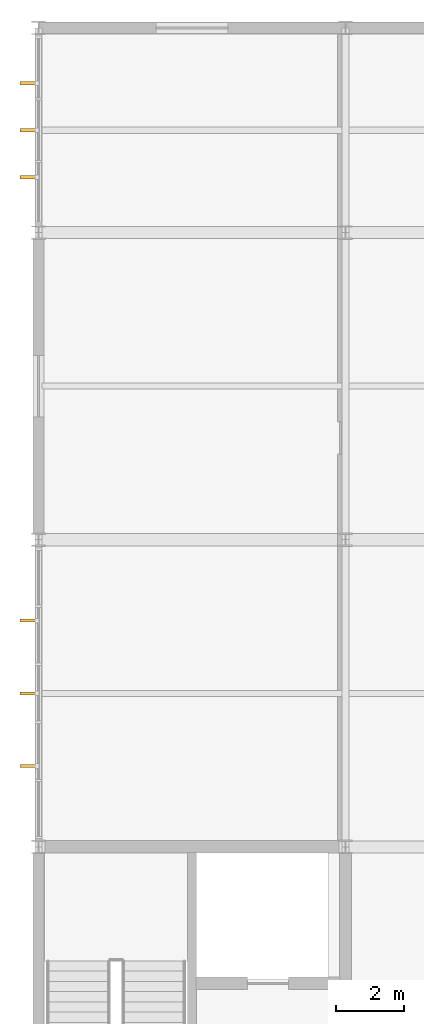
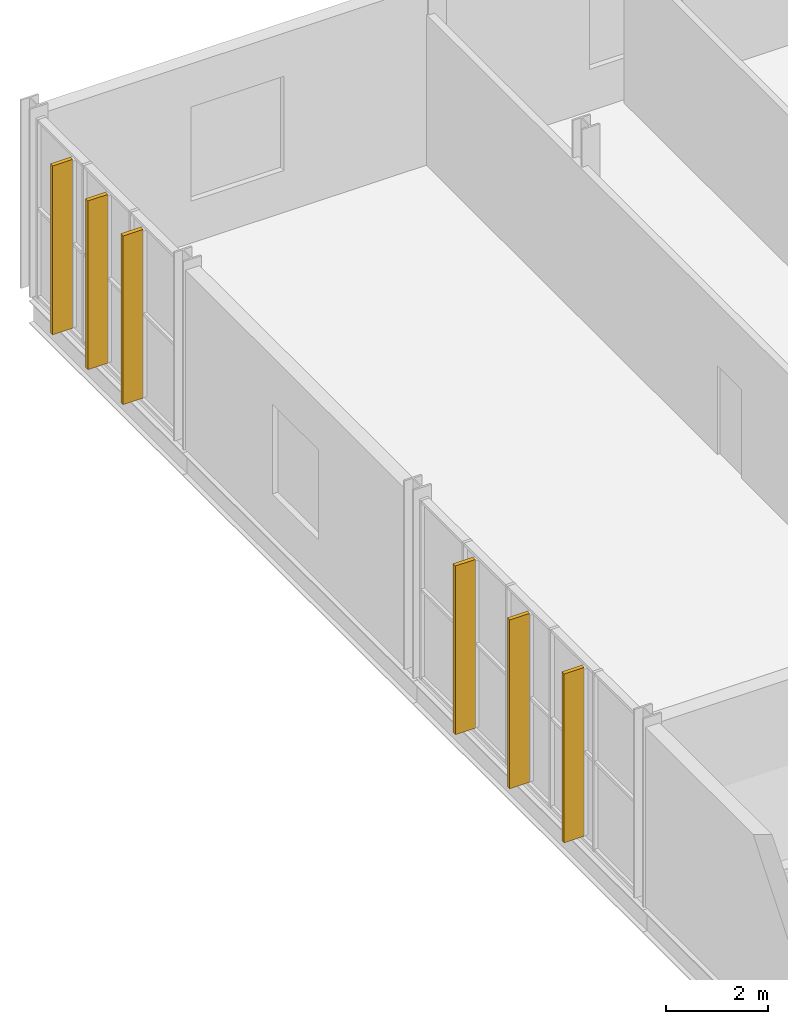
# One storey, part 131 of 134: 6 shading devices.
"""IFC4 building model written with IfcOpenShell, lengths in metres."""

from ifc_helpers import new_model, si_unit, direction, frame, origin, origin_2d, place, context, subcontext, project, spatial, rectangle, extrude, material, type_object, element, save


model = new_model("IFC4")

# Units and contexts
model_context = context("Model", 3, precision=1e-05, world=origin(), true_north=direction((0.0, 1.0)))
body_context = subcontext(model_context, "Body", "Model", "MODEL_VIEW")
ifc_project = project(units=[si_unit("LENGTHUNIT", "METRE"), si_unit("AREAUNIT", "SQUARE_METRE"), si_unit("VOLUMEUNIT", "CUBIC_METRE"), si_unit("PLANEANGLEUNIT", "RADIAN"), si_unit("MASSUNIT", "GRAM", prefix="KILO")], contexts=[model_context])

# Site, building, storey
site_placement = place(None, origin())
site = spatial("IfcSite", under=ifc_project, at=site_placement, CompositionType="ELEMENT")
building_placement = place(site_placement, origin())
building = spatial("IfcBuilding", under=site, at=building_placement, Name="Cazmaro Siding Exhibition Halls", CompositionType="ELEMENT")
storey_placement = place(building_placement, frame((0.0, 0.0, 12.0)))
storey = spatial("IfcBuildingStorey", under=building, at=storey_placement, Name="L02", CompositionType="ELEMENT", Elevation=12.0)

# Shading devices
ifc_material = material(Name="Extruded Kiln-Fired Terracotta Sunshade Louver", Category="concrete")
shading_device_type = type_object("IfcShadingDeviceType", Name="SHD-TC-01", PredefinedType="USERDEFINED", material=ifc_material)
for number, where, z_axis, x_axis, name in (
    (1, (-0.31494140625, 102.373046875, 0.125), (0.0, 0.0, 1.0), (1.0, 0.0, 0.0), "Extruded Terracotta Vertical Sunshade Fin SHD-01 031"),
    (2, (-0.31494140625, 104.5, 0.125), (0.0, 0.0, 1.0), (1.0, 0.0, 0.0), "Extruded Terracotta Vertical Sunshade Fin SHD-01 032"),
    (3, (-0.31494140625, 106.626953125, 0.125), (0.0, 0.0, 1.0), (1.0, 0.0, 0.0), "Extruded Terracotta Vertical Sunshade Fin SHD-01 033"),
    (4, (-0.31494140625, 119.623046875, 0.125), (0.0, 0.0, 1.0), (1.0, 0.0, 0.0), "Extruded Terracotta Vertical Sunshade Fin SHD-01 034"),
    (5, (-0.31494140625, 121.0, 0.125), (0.0, 0.0, 1.0), (1.0, 0.0, 0.0), "Extruded Terracotta Vertical Sunshade Fin SHD-01 035"),
    (6, (-0.31494140625, 122.376953125, 0.125), (0.0, 0.0, 1.0), (1.0, 0.0, 0.0), "Extruded Terracotta Vertical Sunshade Fin SHD-01 036"),
):
    element("IfcShadingDevice", number, at=place(storey_placement, frame(where, z_axis=z_axis, x_axis=x_axis)), inside=storey, type_object=shading_device_type, Name=name, ObjectType="SUNSHADE", PredefinedType="USERDEFINED", context=body_context, shape_type="SweptSolid", body=[
        extrude(rectangle(XDim=0.449951171875, YDim=0.090087890625, at=origin_2d()), origin(), (0.0, 0.0, 1.0), 4.030029296875),
    ])

save(model, "model.ifc")
